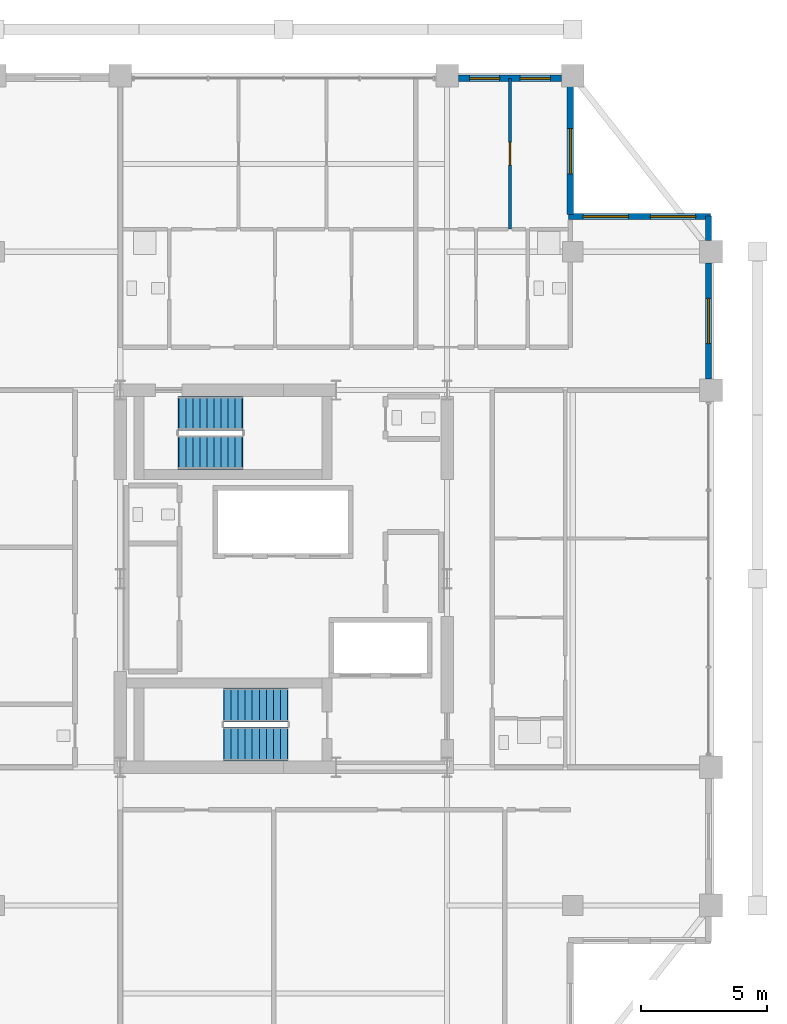
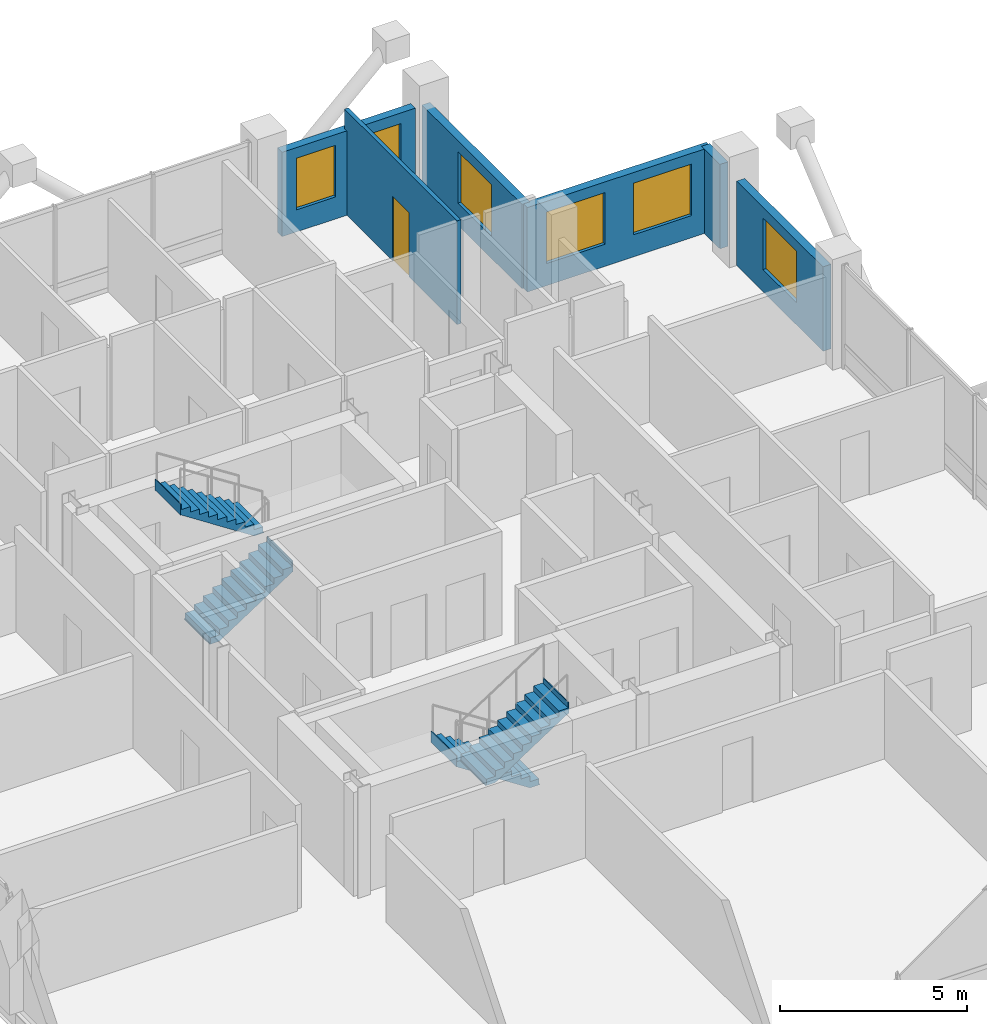
# One storey, part 21 of 23: 6 walls, 6 windows, 4 stair flights, 1 door, 7 openings, 2 elements without a shape of their own.
"""IFC4 building model written with IfcOpenShell, lengths in metres."""

from ifc_helpers import new_model, si_unit, direction, frame, frame_2d, origin, place, context, subcontext, project, spatial, polyline, rectangle, outline, extrude, material, layer, layer_set, type_object, element, fill, aggregate, save


model = new_model("IFC4")

# Units and contexts
model_context = context("Model", 3, precision=1e-05, world=origin(), true_north=direction((0.0, 1.0)))
body_context = subcontext(model_context, "Body", "Model", "MODEL_VIEW")
ifc_project = project(units=[si_unit("LENGTHUNIT", "METRE"), si_unit("AREAUNIT", "SQUARE_METRE"), si_unit("VOLUMEUNIT", "CUBIC_METRE"), si_unit("PLANEANGLEUNIT", "RADIAN"), si_unit("MASSUNIT", "GRAM", prefix="KILO")], contexts=[model_context])

# Site, building, storey
site_placement = place(None, origin())
site = spatial("IfcSite", under=ifc_project, at=site_placement, CompositionType="ELEMENT")
building_placement = place(site_placement, origin())
building = spatial("IfcBuilding", under=site, at=building_placement, Name="Barlavira Tower and Art Museum", CompositionType="ELEMENT")
storey_placement = place(building_placement, frame((0.0, 0.0, 279.89990234375)))
storey = spatial("IfcBuildingStorey", under=building, at=storey_placement, Name="L73", CompositionType="ELEMENT", Elevation=279.89990234375)

# Wall, opening, door
ifc_material_1 = material(Name="Gypsum acoustic stud partition", Category="gypsum")
ifc_layer_1 = layer(ifc_material_1, 0.1201171875, Name="Gypsum acoustic stud partition")
ifc_layer_set_1 = layer_set([ifc_layer_1], Name="Gypsum acoustic stud partition")
wall_type_1 = type_object("IfcWallType", Name="Apartment Internal Acoustic Partition 120", PredefinedType="PARTITIONING", material=ifc_layer_set_1)
wall_1_placement = place(storey_placement, frame((9.0, 13.89990234375, 0.0), z_axis=(0.0, 0.0, 1.0), x_axis=(0.0, 1.0, 0.0)))
wall_1 = element("IfcWall", 1, at=wall_1_placement, inside=storey, type_object=wall_type_1, Name="L73 Partition Wall 19", PredefinedType="PARTITIONING", context=body_context, shape_type="SweptSolid", body=[
    extrude(rectangle(XDim=6.0, YDim=0.1201171875, at=frame_2d((3.0, 0.0))), origin(), (0.0, 0.0, 1.0), 3.380126953125),
])
opening_1_placement = place(wall_1_placement, frame((2.550048828125, 0.0, 0.0)))
opening_1 = element("IfcOpeningElement", 2, at=opening_1_placement, cuts=wall_1, Name="Opening D-01", PredefinedType="OPENING", context=body_context, shape_type="SweptSolid", body=[
    extrude(rectangle(XDim=0.89990234375, YDim=2.10009765625, at=frame_2d((0.449951171875, 1.050048828125))), frame((0.0, 0.070068359375, 0.0), z_axis=(0.0, -1.0, 0.0), x_axis=(1.0, 0.0, 0.0)), (0.0, 0.0, 1.0), 0.14013671875),
])
ifc_material_2 = material(Name="Engineered coastal hardwood", Category="wood")
door_type = type_object("IfcDoorType", Name="Internal Bedroom Timber Flush Door 900x2100", OperationType="NOTDEFINED", PredefinedType="DOOR", material=ifc_material_2)
door_placement = place(opening_1_placement, origin())
door = element("IfcDoor", 3, at=door_placement, inside=storey, type_object=door_type, Name="Apartment N2 Bedroom 1 Door", OperationType="SINGLE_SWING_RIGHT", OverallHeight=2.10009765625, OverallWidth=0.89990234375, PredefinedType="DOOR", context=body_context, shape_type="SweptSolid", body=[
    extrude(rectangle(XDim=0.89990234375, YDim=2.10009765625, at=frame_2d((0.449951171875, 1.050048828125))), frame((0.0, 0.02490234375, 0.0), z_axis=(0.0, -1.0, 0.0), x_axis=(1.0, 0.0, 0.0)), (0.0, 0.0, 1.0), 0.050048828125),
])
fill(opening_1, door)

# Wall, openings, windows
ifc_material_3 = material(Name="Precast concrete C40", Category="concrete")
ifc_layer_2 = layer(ifc_material_3, 0.25, Name="Precast concrete C40")
ifc_layer_set_2 = layer_set([ifc_layer_2], Name="Precast concrete C40")
wall_type_2 = type_object("IfcWallType", Name="Notched Corner Spandrel Wall 250 Precast Concrete C40", PredefinedType="SOLIDWALL", material=ifc_layer_set_2)
wall_2_placement = place(storey_placement, frame((11.054931640625, 19.89990234375, 0.0), z_axis=(0.0, 0.0, 1.0), x_axis=(-1.0, 0.0, 0.0)))
wall_2 = element("IfcWall", 4, at=wall_2_placement, inside=storey, type_object=wall_type_2, Name="L73 Coastal Facade Pier Wall CW4-L73-N-1", PredefinedType="SOLIDWALL", context=body_context, shape_type="SweptSolid", body=[
    extrude(rectangle(XDim=4.10986328125, YDim=0.25, at=frame_2d((2.054931640625, 0.0))), origin(), (0.0, 0.0, 1.0), 2.748046875),
])
opening_2_placement = place(wall_2_placement, frame((0.449951171875, 0.0, 0.719970703125)))
opening_2 = element("IfcOpeningElement", 5, at=opening_2_placement, cuts=wall_2, Name="Opening WN-05", PredefinedType="OPENING", context=body_context, shape_type="SweptSolid", body=[
    extrude(rectangle(XDim=1.199951171875, YDim=1.679931640625, at=frame_2d((0.60009765625, 0.83984375))), frame((0.0, 0.135009765625, 0.0), z_axis=(0.0, -1.0, 0.0), x_axis=(1.0, 0.0, 0.0)), (0.0, 0.0, 1.0), 0.27001953125),
])
opening_3_placement = place(wall_2_placement, frame((2.4599609375, 0.0, 0.719970703125)))
opening_3 = element("IfcOpeningElement", 6, at=opening_3_placement, cuts=wall_2, Name="Opening WN-05", PredefinedType="OPENING", context=body_context, shape_type="SweptSolid", body=[
    extrude(rectangle(XDim=1.199951171875, YDim=1.679931640625, at=frame_2d((0.60009765625, 0.83984375))), frame((0.0, 0.135009765625, 0.0), z_axis=(0.0, -1.0, 0.0), x_axis=(1.0, 0.0, 0.0)), (0.0, 0.0, 1.0), 0.27001953125),
])
ifc_material_4 = material(Name="Low-iron coastal laminated glass", Category="glass")
window_type_1 = type_object("IfcWindowType", Name="Recessed Flank Pier Punch Window 1200x1680", PartitioningType="SINGLE_PANEL", PredefinedType="WINDOW", material=ifc_material_4)
window_1_placement = place(opening_2_placement, origin())
window_1 = element("IfcWindow", 7, at=window_1_placement, inside=storey, type_object=window_type_1, Name="L73 Punched Facade Window EWP-CW4-L73-N-1-1", OverallHeight=1.679931640625, OverallWidth=1.199951171875, PartitioningType="SINGLE_PANEL", PredefinedType="WINDOW", context=body_context, shape_type="SweptSolid", body=[
    extrude(rectangle(XDim=1.199951171875, YDim=1.679931640625, at=frame_2d((0.60009765625, 0.83984375))), frame((0.0, 0.030029296875, 0.0), z_axis=(0.0, -1.0, 0.0), x_axis=(1.0, 0.0, 0.0)), (0.0, 0.0, 1.0), 0.06005859375),
])
fill(opening_2, window_1)
window_2_placement = place(opening_3_placement, origin())
window_2 = element("IfcWindow", 8, at=window_2_placement, inside=storey, type_object=window_type_1, Name="L73 Punched Facade Window EWP-CW4-L73-N-1-2", OverallHeight=1.679931640625, OverallWidth=1.199951171875, PartitioningType="SINGLE_PANEL", PredefinedType="WINDOW", context=body_context, shape_type="SweptSolid", body=[
    extrude(rectangle(XDim=1.199951171875, YDim=1.679931640625, at=frame_2d((0.60009765625, 0.83984375))), frame((0.0, 0.030029296875, 0.0), z_axis=(0.0, -1.0, 0.0), x_axis=(1.0, 0.0, 0.0)), (0.0, 0.0, 1.0), 0.06005859375),
])
fill(opening_3, window_2)

# Wall, opening, window
wall_3_placement = place(storey_placement, frame((16.89990234375, 7.945068359375, 0.0), z_axis=(0.0, 0.0, 1.0), x_axis=(0.0, 1.0, 0.0)))
wall_3 = element("IfcWall", 9, at=wall_3_placement, inside=storey, type_object=wall_type_2, Name="L73 Coastal Facade Pier Wall CW4-L73-E-4", PredefinedType="SOLIDWALL", context=body_context, shape_type="SweptSolid", body=[
    extrude(rectangle(XDim=4.60986328125, YDim=0.25, at=frame_2d((2.304931640625, 0.0))), origin(), (0.0, 0.0, 1.0), 2.748046875),
])
opening_4_placement = place(wall_3_placement, frame((1.405029296875, 0.0, 0.719970703125)))
opening_4 = element("IfcOpeningElement", 10, at=opening_4_placement, cuts=wall_3, Name="Opening WN-01", PredefinedType="OPENING", context=body_context, shape_type="SweptSolid", body=[
    extrude(rectangle(XDim=1.800048828125, YDim=1.679931640625, at=frame_2d((0.89990234375, 0.83984375))), frame((0.0, 0.135009765625, 0.0), z_axis=(0.0, -1.0, 0.0), x_axis=(1.0, 0.0, 0.0)), (0.0, 0.0, 1.0), 0.27001953125),
])
window_type_2 = type_object("IfcWindowType", Name="Recessed Notch Corner Punch Window 1800x1680", PartitioningType="SINGLE_PANEL", PredefinedType="WINDOW", material=ifc_material_4)
window_3_placement = place(opening_4_placement, origin())
window_3 = element("IfcWindow", 11, at=window_3_placement, inside=storey, type_object=window_type_2, Name="L73 Punched Facade Window EWP-CW4-L73-E-4-1", OverallHeight=1.679931640625, OverallWidth=1.800048828125, PartitioningType="SINGLE_PANEL", PredefinedType="WINDOW", context=body_context, shape_type="SweptSolid", body=[
    extrude(rectangle(XDim=1.800048828125, YDim=1.679931640625, at=frame_2d((0.89990234375, 0.83984375))), frame((0.0, 0.030029296875, 0.0), z_axis=(0.0, -1.0, 0.0), x_axis=(1.0, 0.0, 0.0)), (0.0, 0.0, 1.0), 0.06005859375),
])
fill(opening_4, window_3)

# Wall
wall_4_placement = place(storey_placement, frame((16.89990234375, 13.445068359375, 0.0), z_axis=(0.0, 0.0, 1.0), x_axis=(0.0, 1.0, 0.0)))
element("IfcWall", 12, at=wall_4_placement, inside=storey, type_object=wall_type_2, Name="L73 Coastal Facade Pier Wall CW4-L73-E-5", PredefinedType="SOLIDWALL", context=body_context, shape_type="SweptSolid", body=[
    extrude(rectangle(XDim=0.97998046875, YDim=0.25, at=frame_2d((0.489990234375, 0.0))), origin(), (0.0, 0.0, 1.0), 2.748046875),
])

# Wall, openings, windows
wall_5_placement = place(storey_placement, frame((16.97998046875, 14.39990234375, 0.0), z_axis=(0.0, 0.0, 1.0), x_axis=(-1.0, 0.0, 0.0)))
wall_5 = element("IfcWall", 13, at=wall_5_placement, inside=storey, type_object=wall_type_2, Name="L73 Notch Corner Wall NE1", PredefinedType="SOLIDWALL", context=body_context, shape_type="SweptSolid", body=[
    extrude(rectangle(XDim=5.659912109375, YDim=0.25, at=frame_2d((2.830078125, 0.0))), origin(), (0.0, 0.0, 1.0), 2.748046875),
])
opening_5_placement = place(wall_5_placement, frame((0.594970703125, 0.0, 0.719970703125)))
opening_5 = element("IfcOpeningElement", 14, at=opening_5_placement, cuts=wall_5, Name="Opening WN-01", PredefinedType="OPENING", context=body_context, shape_type="SweptSolid", body=[
    extrude(rectangle(XDim=1.800048828125, YDim=1.679931640625, at=frame_2d((0.89990234375, 0.83984375))), frame((0.0, 0.135009765625, 0.0), z_axis=(0.0, -1.0, 0.0), x_axis=(1.0, 0.0, 0.0)), (0.0, 0.0, 1.0), 0.27001953125),
])
opening_6_placement = place(wall_5_placement, frame((3.264892578125, 0.0, 0.719970703125)))
opening_6 = element("IfcOpeningElement", 15, at=opening_6_placement, cuts=wall_5, Name="Opening WN-01", PredefinedType="OPENING", context=body_context, shape_type="SweptSolid", body=[
    extrude(rectangle(XDim=1.800048828125, YDim=1.679931640625, at=frame_2d((0.89990234375, 0.83984375))), frame((0.0, 0.135009765625, 0.0), z_axis=(0.0, -1.0, 0.0), x_axis=(1.0, 0.0, 0.0)), (0.0, 0.0, 1.0), 0.27001953125),
])
window_4_placement = place(opening_5_placement, origin())
window_4 = element("IfcWindow", 16, at=window_4_placement, inside=storey, type_object=window_type_2, Name="L73 Punched Facade Window EW-NTC-L73-NE1-1", OverallHeight=1.679931640625, OverallWidth=1.800048828125, PartitioningType="SINGLE_PANEL", PredefinedType="WINDOW", context=body_context, shape_type="SweptSolid", body=[
    extrude(rectangle(XDim=1.800048828125, YDim=1.679931640625, at=frame_2d((0.89990234375, 0.83984375))), frame((0.0, 0.030029296875, 0.0), z_axis=(0.0, -1.0, 0.0), x_axis=(1.0, 0.0, 0.0)), (0.0, 0.0, 1.0), 0.06005859375),
])
fill(opening_5, window_4)
window_5_placement = place(opening_6_placement, origin())
window_5 = element("IfcWindow", 17, at=window_5_placement, inside=storey, type_object=window_type_2, Name="L73 Punched Facade Window EW-NTC-L73-NE1-2", OverallHeight=1.679931640625, OverallWidth=1.800048828125, PartitioningType="SINGLE_PANEL", PredefinedType="WINDOW", context=body_context, shape_type="SweptSolid", body=[
    extrude(rectangle(XDim=1.800048828125, YDim=1.679931640625, at=frame_2d((0.89990234375, 0.83984375))), frame((0.0, 0.030029296875, 0.0), z_axis=(0.0, -1.0, 0.0), x_axis=(1.0, 0.0, 0.0)), (0.0, 0.0, 1.0), 0.06005859375),
])
fill(opening_6, window_5)

# Wall, opening, window
wall_6_placement = place(storey_placement, frame((11.39990234375, 14.47998046875, 0.0), z_axis=(0.0, 0.0, 1.0), x_axis=(0.0, 1.0, 0.0)))
wall_6 = element("IfcWall", 18, at=wall_6_placement, inside=storey, type_object=wall_type_2, Name="L73 Notch Corner Wall NE2", PredefinedType="SOLIDWALL", context=body_context, shape_type="SweptSolid", body=[
    extrude(rectangle(XDim=5.340087890625, YDim=0.25, at=frame_2d((2.669921875, 0.0))), origin(), (0.0, 0.0, 1.0), 2.748046875),
])
opening_7_placement = place(wall_6_placement, frame((1.614990234375, 0.0, 0.719970703125)))
opening_7 = element("IfcOpeningElement", 19, at=opening_7_placement, cuts=wall_6, Name="Opening WN-01", PredefinedType="OPENING", context=body_context, shape_type="SweptSolid", body=[
    extrude(rectangle(XDim=1.800048828125, YDim=1.679931640625, at=frame_2d((0.89990234375, 0.83984375))), frame((0.0, 0.135009765625, 0.0), z_axis=(0.0, -1.0, 0.0), x_axis=(1.0, 0.0, 0.0)), (0.0, 0.0, 1.0), 0.27001953125),
])
window_6_placement = place(opening_7_placement, origin())
window_6 = element("IfcWindow", 20, at=window_6_placement, inside=storey, type_object=window_type_2, Name="L73 Punched Facade Window EW-NTC-L73-NE2-1", OverallHeight=1.679931640625, OverallWidth=1.800048828125, PartitioningType="SINGLE_PANEL", PredefinedType="WINDOW", context=body_context, shape_type="SweptSolid", body=[
    extrude(rectangle(XDim=1.800048828125, YDim=1.679931640625, at=frame_2d((0.89990234375, 0.83984375))), frame((0.0, 0.030029296875, 0.0), z_axis=(0.0, -1.0, 0.0), x_axis=(1.0, 0.0, 0.0)), (0.0, 0.0, 1.0), 0.06005859375),
])
fill(opening_7, window_6)

# Stair, stair flights
ifc_material_5 = material(Name="Concrete C45", Category="concrete")
stair_type_1 = type_object("IfcStairType", Name="Tower North Dog-Leg Exit Stair Assembly Concrete C45", PredefinedType="TWO_QUARTER_TURN_STAIR", material=ifc_material_5)
stair_1_placement = place(storey_placement, origin())
stair_1 = element("IfcStair", 21, at=stair_1_placement, inside=storey, type_object=stair_type_1, Name="L73 Tower North Exit Stair ST-T2", PredefinedType="TWO_QUARTER_TURN_STAIR")
ifc_material_6 = material(Name="Precast concrete C45", Category="concrete")
stair_flight_type_1 = type_object("IfcStairFlightType", Name="Tower North Dog-Leg Exit Stair Precast Flight 1350 Concrete C45", PredefinedType="STRAIGHT", material=ifc_material_6)
stair_flight_1_placement = place(storey_placement, frame((-4.169921875, 5.02490234375, 0.0), z_axis=(0.0, 0.0, 1.0), x_axis=(1.0, 0.0, 0.0)))
stair_flight_1 = element("IfcStairFlight", 22, at=stair_flight_1_placement, type_object=stair_flight_type_1, Name="ST-T2 flight 1", NumberOfRisers=10, NumberOfTreads=9, PredefinedType="STRAIGHT", RiserHeight=0.18, TreadLength=0.28, context=body_context, shape_type="SweptSolid", body=[
    extrude(outline(polyline([(-0.02490234375, 0.0), (0.0, 0.0), (0.0, 0.179931640625), (0.280029296875, 0.179931640625), (0.280029296875, 0.360107421875), (0.56005859375, 0.360107421875), (0.56005859375, 0.5400390625), (0.840087890625, 0.5400390625), (0.840087890625, 0.719970703125), (1.1201171875, 0.719970703125), (1.1201171875, 0.89990234375), (1.39990234375, 0.89990234375), (1.39990234375, 1.080078125), (1.679931640625, 1.080078125), (1.679931640625, 1.260009765625), (1.9599609375, 1.260009765625), (1.9599609375, 1.43994140625), (2.239990234375, 1.43994140625), (2.239990234375, 1.6201171875), (2.52001953125, 1.6201171875), (2.52001953125, 1.800048828125), (2.544921875, 1.800048828125), (2.544921875, 1.44189453125), (2.52001953125, 1.44189453125), (0.277099609375, -0.02490234375), (-0.02490234375, -0.02490234375), (-0.02490234375, 0.0)])), frame((0.0, 0.675048828125, 0.0), z_axis=(0.0, -1.0, 0.0), x_axis=(1.0, 0.0, 0.0)), (0.0, 0.0, 1.0), 1.35009765625),
])
stair_flight_2_placement = place(storey_placement, frame((-1.64990234375, 6.574951171875, 1.800048828125), z_axis=(0.0, 0.0, 1.0), x_axis=(-1.0, 0.0, 0.0)))
stair_flight_2 = element("IfcStairFlight", 23, at=stair_flight_2_placement, type_object=stair_flight_type_1, Name="ST-T2 flight 2", NumberOfRisers=10, NumberOfTreads=9, PredefinedType="STRAIGHT", RiserHeight=0.18, TreadLength=0.28, context=body_context, shape_type="SweptSolid", body=[
    extrude(outline(polyline([(-0.02490234375, 0.0), (0.0, 0.0), (0.0, 0.179931640625), (0.280029296875, 0.179931640625), (0.280029296875, 0.360107421875), (0.56005859375, 0.360107421875), (0.56005859375, 0.5400390625), (0.840087890625, 0.5400390625), (0.840087890625, 0.719970703125), (1.1201171875, 0.719970703125), (1.1201171875, 0.89990234375), (1.39990234375, 0.89990234375), (1.39990234375, 1.080078125), (1.679931640625, 1.080078125), (1.679931640625, 1.260009765625), (1.9599609375, 1.260009765625), (1.9599609375, 1.43994140625), (2.239990234375, 1.43994140625), (2.239990234375, 1.6201171875), (2.52001953125, 1.6201171875), (2.52001953125, 1.800048828125), (2.544921875, 1.800048828125), (2.544921875, 1.44189453125), (2.52001953125, 1.44189453125), (0.277099609375, -0.02490234375), (-0.02490234375, -0.02490234375), (-0.02490234375, 0.0)])), frame((0.0, 0.675048828125, 0.0), z_axis=(0.0, -1.0, 0.0), x_axis=(1.0, 0.0, 0.0)), (0.0, 0.0, 1.0), 1.35009765625),
])
aggregate(stair_1, [stair_flight_1, stair_flight_2])

stair_type_2 = type_object("IfcStairType", Name="Tower South Dog-Leg Exit Stair Assembly Concrete C45", PredefinedType="TWO_QUARTER_TURN_STAIR", material=ifc_material_5)
stair_2_placement = place(storey_placement, origin())
stair_2 = element("IfcStair", 24, at=stair_2_placement, inside=storey, type_object=stair_type_2, Name="L73 Tower South Exit Stair ST-T1", PredefinedType="TWO_QUARTER_TURN_STAIR")
stair_flight_type_2 = type_object("IfcStairFlightType", Name="Tower South Dog-Leg Exit Stair Precast Flight 1350 Concrete C45", PredefinedType="STRAIGHT", material=ifc_material_6)
stair_flight_3_placement = place(storey_placement, frame((0.14990234375, -5.02490234375, 0.0), z_axis=(0.0, 0.0, 1.0), x_axis=(-1.0, 0.0, 0.0)))
stair_flight_3 = element("IfcStairFlight", 25, at=stair_flight_3_placement, type_object=stair_flight_type_2, Name="ST-T1 flight 1", NumberOfRisers=10, NumberOfTreads=9, PredefinedType="STRAIGHT", RiserHeight=0.18, TreadLength=0.28, context=body_context, shape_type="SweptSolid", body=[
    extrude(outline(polyline([(-0.02490234375, 0.0), (0.0, 0.0), (0.0, 0.179931640625), (0.280029296875, 0.179931640625), (0.280029296875, 0.360107421875), (0.56005859375, 0.360107421875), (0.56005859375, 0.5400390625), (0.840087890625, 0.5400390625), (0.840087890625, 0.719970703125), (1.1201171875, 0.719970703125), (1.1201171875, 0.89990234375), (1.39990234375, 0.89990234375), (1.39990234375, 1.080078125), (1.679931640625, 1.080078125), (1.679931640625, 1.260009765625), (1.9599609375, 1.260009765625), (1.9599609375, 1.43994140625), (2.239990234375, 1.43994140625), (2.239990234375, 1.6201171875), (2.52001953125, 1.6201171875), (2.52001953125, 1.800048828125), (2.544921875, 1.800048828125), (2.544921875, 1.44189453125), (2.52001953125, 1.44189453125), (0.277099609375, -0.02490234375), (-0.02490234375, -0.02490234375), (-0.02490234375, 0.0)])), frame((0.0, 0.675048828125, 0.0), z_axis=(0.0, -1.0, 0.0), x_axis=(1.0, 0.0, 0.0)), (0.0, 0.0, 1.0), 1.35009765625),
])
stair_flight_4_placement = place(storey_placement, frame((-2.3701171875, -6.574951171875, 1.800048828125), z_axis=(0.0, 0.0, 1.0), x_axis=(1.0, 0.0, 0.0)))
stair_flight_4 = element("IfcStairFlight", 26, at=stair_flight_4_placement, type_object=stair_flight_type_2, Name="ST-T1 flight 2", NumberOfRisers=10, NumberOfTreads=9, PredefinedType="STRAIGHT", RiserHeight=0.18, TreadLength=0.28, context=body_context, shape_type="SweptSolid", body=[
    extrude(outline(polyline([(-0.02490234375, 0.0), (0.0, 0.0), (0.0, 0.179931640625), (0.280029296875, 0.179931640625), (0.280029296875, 0.360107421875), (0.56005859375, 0.360107421875), (0.56005859375, 0.5400390625), (0.840087890625, 0.5400390625), (0.840087890625, 0.719970703125), (1.1201171875, 0.719970703125), (1.1201171875, 0.89990234375), (1.39990234375, 0.89990234375), (1.39990234375, 1.080078125), (1.679931640625, 1.080078125), (1.679931640625, 1.260009765625), (1.9599609375, 1.260009765625), (1.9599609375, 1.43994140625), (2.239990234375, 1.43994140625), (2.239990234375, 1.6201171875), (2.52001953125, 1.6201171875), (2.52001953125, 1.800048828125), (2.544921875, 1.800048828125), (2.544921875, 1.44189453125), (2.52001953125, 1.44189453125), (0.277099609375, -0.02490234375), (-0.02490234375, -0.02490234375), (-0.02490234375, 0.0)])), frame((0.0, 0.675048828125, 0.0), z_axis=(0.0, -1.0, 0.0), x_axis=(1.0, 0.0, 0.0)), (0.0, 0.0, 1.0), 1.35009765625),
])
aggregate(stair_2, [stair_flight_3, stair_flight_4])

save(model, "model.ifc")
